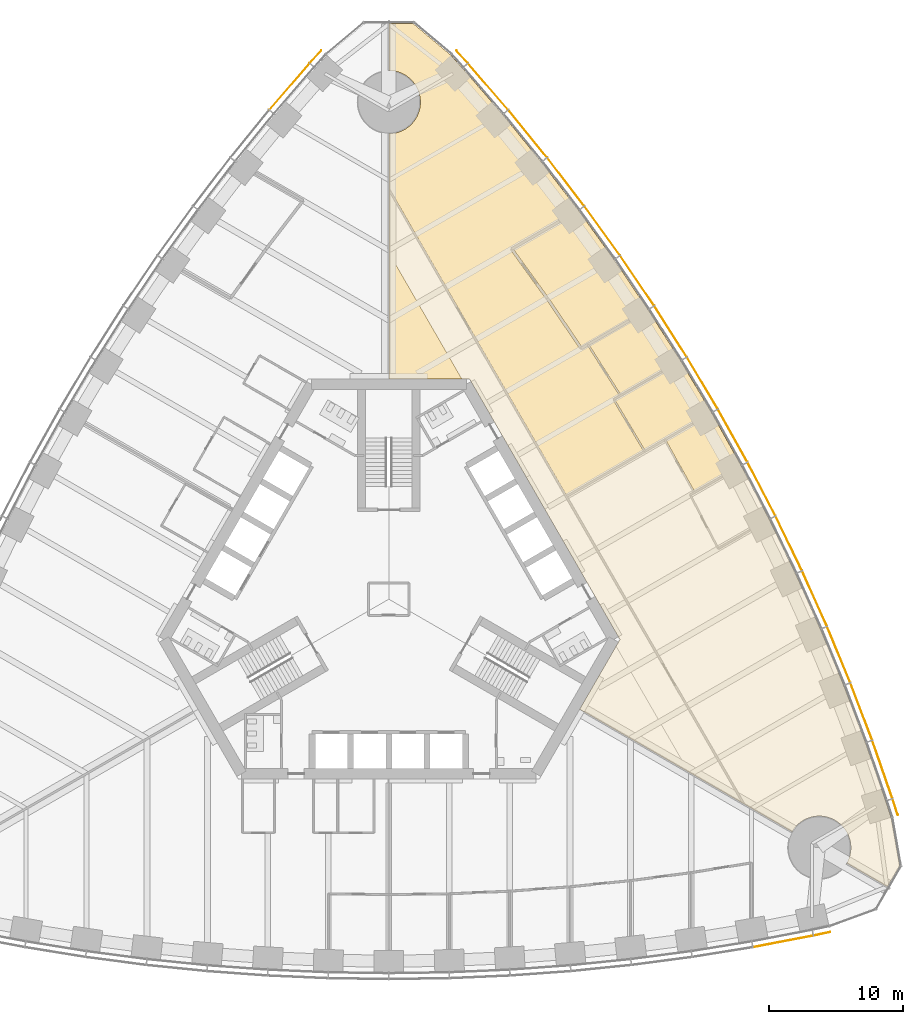
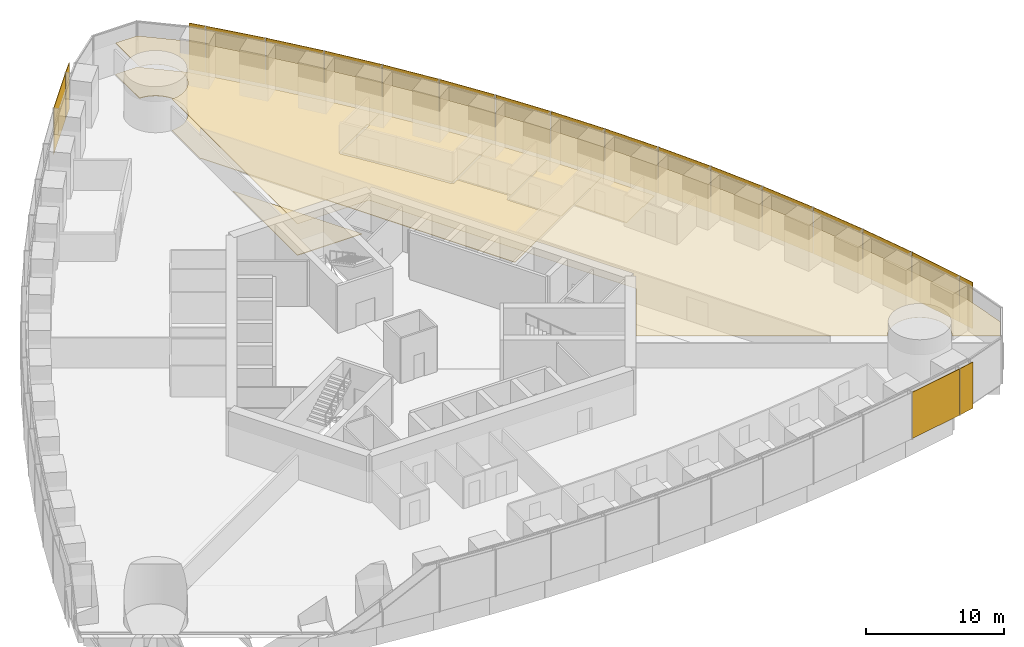
# One storey, part 16 of 18: 20 shading devices, 7 coverings.
"""IFC4 building model written with IfcOpenShell, lengths in metres."""

from ifc_helpers import new_model, si_unit, direction, frame, origin, origin_2d, place, context, subcontext, project, spatial, polyline, rectangle, outline, extrude, material, layer, layer_set, type_object, element, save


model = new_model("IFC4")

# Units and contexts
model_context = context("Model", 3, precision=1e-05, world=origin(), true_north=direction((0.0, 1.0)))
body_context = subcontext(model_context, "Body", "Model", "MODEL_VIEW")
ifc_project = project(units=[si_unit("LENGTHUNIT", "METRE"), si_unit("AREAUNIT", "SQUARE_METRE"), si_unit("VOLUMEUNIT", "CUBIC_METRE"), si_unit("PLANEANGLEUNIT", "RADIAN"), si_unit("MASSUNIT", "GRAM", prefix="KILO")], contexts=[model_context])

# Site, building, storey
site_placement = place(None, origin())
site = spatial("IfcSite", under=ifc_project, at=site_placement, CompositionType="ELEMENT")
building_placement = place(site_placement, origin())
building = spatial("IfcBuilding", under=site, at=building_placement, Name="Trefoil Bronze Tower", CompositionType="ELEMENT")
storey_placement = place(building_placement, frame((0.0, 0.0, 66.89990234375)))
storey = spatial("IfcBuildingStorey", under=building, at=storey_placement, Name="L15", CompositionType="ELEMENT", Elevation=66.89990234375)

# Shading devices
ifc_material_1 = material(Name="Perforated bronze sheet", Category="bronze")
ifc_layer_1 = layer(ifc_material_1, 0.0400390625)
ifc_layer_set_1 = layer_set([ifc_layer_1], Name="Bronze solar screen panel")
shading_device_type = type_object("IfcShadingDeviceType", Name="Bronze solar screen panel", PredefinedType="SHUTTER", material=ifc_layer_set_1)
shading_device_1_placement = place(storey_placement, frame((29.351806640625, -25.478515625, 0.050048828125), z_axis=(0.0, 0.0, 1.0), x_axis=(0.982049823817, 0.188621694249, 0.0)))
element("IfcShadingDevice", 1, at=shading_device_1_placement, inside=storey, type_object=shading_device_type, Name="Solar screen CW-A L15 F1 bay 15", PredefinedType="SHUTTER", context=body_context, shape_type="SweptSolid", body=[
    extrude(rectangle(XDim=4.55224609375, YDim=0.0400390625, at=origin_2d()), origin(), (0.0, 0.0, 1.0), 4.10009765625),
])
for number, where, z_axis, x_axis, name in (
    (2, (32.2431640625, -24.91064453125, 0.050048828125), (0.0, 0.0, 1.0), (0.978302717041, 0.207180582657, 0.0), "Solar screen CW-A L15 F1 bay 16"),
    (3, (37.69482421875, -15.468017578125, 0.050048828125), (0.0, 0.0, 1.0), (-0.309727710769, 0.950825296877, 0.0), "Solar screen CW-A L15 F2 bay 1"),
):
    element("IfcShadingDevice", number, at=place(storey_placement, frame(where, z_axis=z_axis, x_axis=x_axis)), inside=storey, type_object=shading_device_type, Name=name, PredefinedType="SHUTTER", context=body_context, shape_type="SweptSolid", body=[
        extrude(rectangle(XDim=1.260498046875, YDim=0.0400390625, at=origin_2d()), origin(), (0.0, 0.0, 1.0), 4.10009765625),
    ])
shading_device_2_placement = place(storey_placement, frame((36.740966796875, -12.68017578125, 0.050048828125), z_axis=(0.0, 0.0, 1.0), x_axis=(-0.327673732984, 0.944790942332, 0.0)))
element("IfcShadingDevice", 4, at=shading_device_2_placement, inside=storey, type_object=shading_device_type, Name="Solar screen CW-A L15 F2 bay 2", PredefinedType="SHUTTER", context=body_context, shape_type="SweptSolid", body=[
    extrude(rectangle(XDim=4.55224609375, YDim=0.0400390625, at=origin_2d()), origin(), (0.0, 0.0, 1.0), 4.10009765625),
])
shading_device_3_placement = place(storey_placement, frame((35.1748046875, -8.3701171875, 0.050048828125), z_axis=(0.0, 0.0, 1.0), x_axis=(-0.355370585687, 0.934725492767, 0.0)))
element("IfcShadingDevice", 5, at=shading_device_3_placement, inside=storey, type_object=shading_device_type, Name="Solar screen CW-A L15 F2 bay 3", PredefinedType="SHUTTER", context=body_context, shape_type="SweptSolid", body=[
    extrude(rectangle(XDim=4.5283203125, YDim=0.0400390625, at=origin_2d()), origin(), (0.0, 0.0, 1.0), 4.10009765625),
])
shading_device_4_placement = place(storey_placement, frame((33.49072265625, -4.128173828125, 0.050048828125), z_axis=(0.0, 0.0, 1.0), x_axis=(-0.382629580712, 0.923901836758, 0.0)))
element("IfcShadingDevice", 6, at=shading_device_4_placement, inside=storey, type_object=shading_device_type, Name="Solar screen CW-A L15 F2 bay 4", PredefinedType="SHUTTER", context=body_context, shape_type="SweptSolid", body=[
    extrude(rectangle(XDim=4.5087890625, YDim=0.0400390625, at=origin_2d()), origin(), (0.0, 0.0, 1.0), 4.10009765625),
])
shading_device_5_placement = place(storey_placement, frame((31.68994140625, 0.04638671875, 0.050048828125), z_axis=(0.0, 0.0, 1.0), x_axis=(-0.40945635808, 0.912329705111, 0.0)))
element("IfcShadingDevice", 7, at=shading_device_5_placement, inside=storey, type_object=shading_device_type, Name="Solar screen CW-A L15 F2 bay 5", PredefinedType="SHUTTER", context=body_context, shape_type="SweptSolid", body=[
    extrude(rectangle(XDim=4.493408203125, YDim=0.0400390625, at=origin_2d()), origin(), (0.0, 0.0, 1.0), 4.10009765625),
])
shading_device_6_placement = place(storey_placement, frame((29.77392578125, 4.154541015625, 0.050048828125), z_axis=(0.0, 0.0, 1.0), x_axis=(-0.4358553457, 0.900016731858, 0.0)))
element("IfcShadingDevice", 8, at=shading_device_6_placement, inside=storey, type_object=shading_device_type, Name="Solar screen CW-A L15 F2 bay 6", PredefinedType="SHUTTER", context=body_context, shape_type="SweptSolid", body=[
    extrude(rectangle(XDim=4.48193359375, YDim=0.0400390625, at=origin_2d()), origin(), (0.0, 0.0, 1.0), 4.10009765625),
])
shading_device_7_placement = place(storey_placement, frame((27.74365234375, 8.1962890625, 0.050048828125), z_axis=(0.0, 0.0, 1.0), x_axis=(-0.46182981834, 0.886968555752, 0.0)))
element("IfcShadingDevice", 9, at=shading_device_7_placement, inside=storey, type_object=shading_device_type, Name="Solar screen CW-A L15 F2 bay 7", PredefinedType="SHUTTER", context=body_context, shape_type="SweptSolid", body=[
    extrude(rectangle(XDim=4.474365234375, YDim=0.0400390625, at=origin_2d()), origin(), (0.0, 0.0, 1.0), 4.10009765625),
])
for number, where, z_axis, x_axis, name in (
    (10, (25.599365234375, 12.172607421875, 0.050048828125), (0.0, 0.0, 1.0), (-0.487381940453, 0.873188893722, 0.0), "Solar screen CW-A L15 F2 bay 8"),
    (11, (23.341552734375, 16.083251953125, 0.050048828125), (0.0, 0.0, 1.0), (-0.51251279404, 0.858679588639, 0.0), "Solar screen CW-A L15 F2 bay 9"),
):
    element("IfcShadingDevice", number, at=place(storey_placement, frame(where, z_axis=z_axis, x_axis=x_axis)), inside=storey, type_object=shading_device_type, Name=name, PredefinedType="SHUTTER", context=body_context, shape_type="SweptSolid", body=[
        extrude(rectangle(XDim=4.470458984375, YDim=0.0400390625, at=origin_2d()), origin(), (0.0, 0.0, 1.0), 4.10009765625),
    ])
shading_device_8_placement = place(storey_placement, frame((20.97021484375, 19.928466796875, 0.050048828125), z_axis=(0.0, 0.0, 1.0), x_axis=(-0.537222392469, 0.843440632783, 0.0)))
element("IfcShadingDevice", 12, at=shading_device_8_placement, inside=storey, type_object=shading_device_type, Name="Solar screen CW-A L15 F2 bay 10", PredefinedType="SHUTTER", context=body_context, shape_type="SweptSolid", body=[
    extrude(rectangle(XDim=4.474365234375, YDim=0.0400390625, at=origin_2d()), origin(), (0.0, 0.0, 1.0), 4.10009765625),
])
shading_device_9_placement = place(storey_placement, frame((18.48486328125, 23.707763671875, 0.050048828125), z_axis=(0.0, 0.0, 1.0), x_axis=(-0.56150968077, 0.827470167681, 0.0)))
element("IfcShadingDevice", 13, at=shading_device_9_placement, inside=storey, type_object=shading_device_type, Name="Solar screen CW-A L15 F2 bay 11", PredefinedType="SHUTTER", context=body_context, shape_type="SweptSolid", body=[
    extrude(rectangle(XDim=4.48193359375, YDim=0.0400390625, at=origin_2d()), origin(), (0.0, 0.0, 1.0), 4.10009765625),
])
shading_device_10_placement = place(storey_placement, frame((15.88525390625, 27.421142578125, 0.050048828125), z_axis=(0.0, 0.0, 1.0), x_axis=(-0.585372522213, 0.810764460394, 0.0)))
element("IfcShadingDevice", 14, at=shading_device_10_placement, inside=storey, type_object=shading_device_type, Name="Solar screen CW-A L15 F2 bay 12", PredefinedType="SHUTTER", context=body_context, shape_type="SweptSolid", body=[
    extrude(rectangle(XDim=4.493408203125, YDim=0.0400390625, at=origin_2d()), origin(), (0.0, 0.0, 1.0), 4.10009765625),
])
shading_device_11_placement = place(storey_placement, frame((13.170166015625, 31.06787109375, 0.050048828125), z_axis=(0.0, 0.0, 1.0), x_axis=(-0.608807670879, 0.793317855515, 0.0)))
element("IfcShadingDevice", 15, at=shading_device_11_placement, inside=storey, type_object=shading_device_type, Name="Solar screen CW-A L15 F2 bay 13", PredefinedType="SHUTTER", context=body_context, shape_type="SweptSolid", body=[
    extrude(rectangle(XDim=4.5087890625, YDim=0.0400390625, at=origin_2d()), origin(), (0.0, 0.0, 1.0), 4.10009765625),
])
shading_device_12_placement = place(storey_placement, frame((10.338623046875, 34.6474609375, 0.050048828125), z_axis=(0.0, 0.0, 1.0), x_axis=(-0.631810729457, 0.775122701346, 0.0)))
element("IfcShadingDevice", 16, at=shading_device_12_placement, inside=storey, type_object=shading_device_type, Name="Solar screen CW-A L15 F2 bay 14", PredefinedType="SHUTTER", context=body_context, shape_type="SweptSolid", body=[
    extrude(rectangle(XDim=4.5283203125, YDim=0.0400390625, at=origin_2d()), origin(), (0.0, 0.0, 1.0), 4.10009765625),
])
shading_device_13_placement = place(storey_placement, frame((7.38916015625, 38.15869140625, 0.050048828125), z_axis=(0.0, 0.0, 1.0), x_axis=(-0.654376090833, 0.756169248083, 0.0)))
element("IfcShadingDevice", 17, at=shading_device_13_placement, inside=storey, type_object=shading_device_type, Name="Solar screen CW-A L15 F2 bay 15", PredefinedType="SHUTTER", context=body_context, shape_type="SweptSolid", body=[
    extrude(rectangle(XDim=4.55224609375, YDim=0.0400390625, at=origin_2d()), origin(), (0.0, 0.0, 1.0), 4.10009765625),
])
for number, where, z_axis, x_axis, name in (
    (18, (5.45166015625, 40.378662109375, 0.050048828125), (0.0, 0.0, 1.0), (-0.668575006272, 0.743644714221, 0.0), "Solar screen CW-A L15 F2 bay 16"),
    (19, (-5.45166015625, 40.378662109375, 0.050048828125), (0.0, 0.0, 1.0), (-0.668575006272, -0.743644714221, 0.0), "Solar screen CW-A L15 F3 bay 1"),
):
    element("IfcShadingDevice", number, at=place(storey_placement, frame(where, z_axis=z_axis, x_axis=x_axis)), inside=storey, type_object=shading_device_type, Name=name, PredefinedType="SHUTTER", context=body_context, shape_type="SweptSolid", body=[
        extrude(rectangle(XDim=1.260498046875, YDim=0.0400390625, at=origin_2d()), origin(), (0.0, 0.0, 1.0), 4.10009765625),
    ])
shading_device_14_placement = place(storey_placement, frame((-7.38916015625, 38.15869140625, 0.050048828125), z_axis=(0.0, 0.0, 1.0), x_axis=(-0.654376090833, -0.756169248083, 0.0)))
element("IfcShadingDevice", 20, at=shading_device_14_placement, inside=storey, type_object=shading_device_type, Name="Solar screen CW-A L15 F3 bay 2", PredefinedType="SHUTTER", context=body_context, shape_type="SweptSolid", body=[
    extrude(rectangle(XDim=4.55224609375, YDim=0.0400390625, at=origin_2d()), origin(), (0.0, 0.0, 1.0), 4.10009765625),
])

# Coverings
ifc_material_2 = material(Name="Acoustic ceiling panels", Category="mineral fibre")
ifc_layer_2 = layer(ifc_material_2, 0.02001953125)
ifc_layer_set_2 = layer_set([ifc_layer_2], Name="Office ceiling 20")
covering_type_1 = type_object("IfcCoveringType", Name="Office ceiling 20", PredefinedType="CEILING", material=ifc_layer_set_2)
covering_1_placement = place(storey_placement, frame((0.0, 0.0, 2.900146484375)))
element("IfcCovering", 21, at=covering_1_placement, inside=storey, type_object=covering_type_1, Name="Ceiling L15 Open-plan office F2", PredefinedType="CEILING", context=body_context, shape_type="SweptSolid", body=[
    extrude(outline(polyline([(5.4814453125, 39.537841796875), (8.47998046875, 36.072998046875), (11.360107421875, 32.53955078125), (14.123291015625, 28.938720703125), (16.771240234375, 25.271484375), (19.3046875, 21.537841796875), (21.724609375, 17.73876953125), (24.031005859375, 13.87451171875), (26.224609375, 9.944580078125), (28.3046875, 5.949462890625), (30.271240234375, 1.888671875), (32.123291015625, -2.23828125), (33.860107421875, -6.431640625), (35.47998046875, -10.6923828125), (36.9814453125, -15.021728515625), (37.381103515625, -16.248779296875), (38.0146484375, -19.841552734375), (37.110595703125, -21.4072265625), (34.084716796875, -19.661865234375), (34.115478515625, -19.60791015625), (34.167236328125, -19.5048828125), (34.214111328125, -19.3994140625), (34.255615234375, -19.291748046875), (34.291748046875, -19.18212890625), (34.322509765625, -19.071044921875), (34.347900390625, -18.95849609375), (34.367431640625, -18.8447265625), (34.381591796875, -18.730224609375), (34.39013671875, -18.615234375), (34.392822265625, -18.5), (34.39013671875, -18.384765625), (34.381591796875, -18.269775390625), (34.367431640625, -18.1552734375), (34.347900390625, -18.04150390625), (34.322509765625, -17.928955078125), (34.291748046875, -17.81787109375), (34.255615234375, -17.708251953125), (34.214111328125, -17.6005859375), (34.167236328125, -17.4951171875), (34.115478515625, -17.39208984375), (34.05859375, -17.2919921875), (33.996826171875, -17.1943359375), (33.930419921875, -17.10009765625), (33.859619140625, -17.00927734375), (33.7841796875, -16.921875), (33.70458984375, -16.83837890625), (33.62109375, -16.7587890625), (33.53369140625, -16.683349609375), (33.44287109375, -16.612548828125), (33.348388671875, -16.5458984375), (33.251220703125, -16.484375), (33.150634765625, -16.427490234375), (33.047607421875, -16.37548828125), (32.942138671875, -16.328857421875), (32.834716796875, -16.287353515625), (32.72509765625, -16.251220703125), (32.614013671875, -16.220458984375), (32.50146484375, -16.1953125), (32.3876953125, -16.17529296875), (32.273193359375, -16.161376953125), (32.158203125, -16.15283203125), (32.04296875, -16.14990234375), (31.927490234375, -16.15283203125), (31.8125, -16.161376953125), (31.697998046875, -16.17529296875), (31.58447265625, -16.1953125), (31.471923828125, -16.220458984375), (31.36083984375, -16.251220703125), (31.251220703125, -16.287353515625), (31.1435546875, -16.328857421875), (31.0380859375, -16.37548828125), (30.935302734375, -16.427490234375), (30.834716796875, -16.484375), (30.7373046875, -16.5458984375), (30.64306640625, -16.612548828125), (30.552001953125, -16.683349609375), (30.46484375, -16.7587890625), (30.381103515625, -16.83837890625), (30.3017578125, -16.921875), (30.226318359375, -17.00927734375), (30.155517578125, -17.10009765625), (30.089111328125, -17.1943359375), (30.02734375, -17.2919921875), (30.0146484375, -17.31396484375), (14.205810546875, -8.194580078125), (17.205078125, -3.0), (6.00439453125, 16.39990234375), (0.006103515625, 16.39990234375), (0.012939453125, 34.650390625), (0.115234375, 34.65283203125), (0.230224609375, 34.661376953125), (0.3447265625, 34.67529296875), (0.45849609375, 34.6953125), (0.571044921875, 34.720458984375), (0.68212890625, 34.751220703125), (0.791748046875, 34.787353515625), (0.8994140625, 34.828857421875), (1.0048828125, 34.87548828125), (1.10791015625, 34.927490234375), (1.2080078125, 34.984375), (1.3056640625, 35.0458984375), (1.39990234375, 35.112548828125), (1.49072265625, 35.183349609375), (1.578125, 35.2587890625), (1.66162109375, 35.33837890625), (1.7412109375, 35.421875), (1.816650390625, 35.50927734375), (1.887451171875, 35.60009765625), (1.9541015625, 35.6943359375), (2.015625, 35.7919921875), (2.072509765625, 35.89208984375), (2.12451171875, 35.9951171875), (2.171142578125, 36.1005859375), (2.212646484375, 36.208251953125), (2.248779296875, 36.31787109375), (2.279541015625, 36.428955078125), (2.3046875, 36.54150390625), (2.32470703125, 36.6552734375), (2.338623046875, 36.769775390625), (2.34716796875, 36.884765625), (2.35009765625, 37.0), (2.34716796875, 37.115234375), (2.338623046875, 37.230224609375), (2.32470703125, 37.3447265625), (2.3046875, 37.45849609375), (2.279541015625, 37.571044921875), (2.248779296875, 37.68212890625), (2.212646484375, 37.791748046875), (2.171142578125, 37.8994140625), (2.12451171875, 38.0048828125), (2.072509765625, 38.10791015625), (2.015625, 38.2080078125), (1.9541015625, 38.3056640625), (1.887451171875, 38.39990234375), (1.816650390625, 38.49072265625), (1.7412109375, 38.578125), (1.66162109375, 38.66162109375), (1.578125, 38.7412109375), (1.49072265625, 38.816650390625), (1.39990234375, 38.887451171875), (1.3056640625, 38.9541015625), (1.2080078125, 39.015625), (1.10791015625, 39.072509765625), (1.0048828125, 39.12451171875), (0.8994140625, 39.171142578125), (0.791748046875, 39.212646484375), (0.68212890625, 39.248779296875), (0.571044921875, 39.279541015625), (0.45849609375, 39.3046875), (0.3447265625, 39.32470703125), (0.230224609375, 39.338623046875), (0.115234375, 39.34716796875), (0.014892578125, 39.349609375), (0.01611328125, 42.84228515625), (1.82421875, 42.84228515625), (4.618896484375, 40.497314453125), (5.4814453125, 39.537841796875)])), origin(), (0.0, 0.0, 1.0), 0.02001953125),
])
ifc_material_3 = material(Name="Raised access floor panels", Category="steel")
ifc_layer_3 = layer(ifc_material_3, 0.050048828125)
ifc_layer_set_3 = layer_set([ifc_layer_3], Name="Raised access floor 150")
covering_type_2 = type_object("IfcCoveringType", Name="Raised access floor 150", PredefinedType="FLOORING", material=ifc_layer_set_3)
covering_2_placement = place(storey_placement, frame((0.0, 0.0, 0.10009765625)))
element("IfcCovering", 22, at=covering_2_placement, inside=storey, type_object=covering_type_2, Name="Raised floor L15 Boardroom F2", PredefinedType="FLOORING", context=body_context, shape_type="SweptSolid", body=[
    extrude(outline(polyline([(16.771240234375, 25.271484375), (19.3046875, 21.537841796875), (17.890869140625, 20.721435546875), (17.8408203125, 20.80810546875), (14.355712890625, 18.7958984375), (11.87451171875, 22.452392578125), (11.79150390625, 22.396484375), (11.872802734375, 22.454833984375), (9.289794921875, 26.032470703125), (12.752197265625, 28.031494140625), (12.7021484375, 28.1181640625), (14.123291015625, 28.938720703125), (16.771240234375, 25.271484375)])), origin(), (0.0, 0.0, 1.0), 0.050048828125),
])
covering_3_placement = place(storey_placement, frame((0.0, 0.0, 0.10009765625)))
element("IfcCovering", 23, at=covering_3_placement, inside=storey, type_object=covering_type_2, Name="Raised floor L15 Project room F2", PredefinedType="FLOORING", context=body_context, shape_type="SweptSolid", body=[
    extrude(outline(polyline([(21.724609375, 17.73876953125), (20.312255859375, 16.923583984375), (20.2822265625, 16.975341796875), (17.2626953125, 15.23193359375), (14.9287109375, 18.89599609375), (17.94091796875, 20.635009765625), (17.890869140625, 20.721435546875), (19.3046875, 21.537841796875), (21.724609375, 17.73876953125)])), origin(), (0.0, 0.0, 1.0), 0.050048828125),
])
covering_4_placement = place(storey_placement, frame((0.0, 0.0, 0.10009765625)))
element("IfcCovering", 24, at=covering_4_placement, inside=storey, type_object=covering_type_2, Name="Raised floor L15 Meeting room F2", PredefinedType="FLOORING", context=body_context, shape_type="SweptSolid", body=[
    extrude(outline(polyline([(21.724609375, 17.73876953125), (24.031005859375, 13.87451171875), (22.619384765625, 13.059326171875), (22.58203125, 13.124267578125), (19.06494140625, 11.09375), (16.82763671875, 14.84228515625), (20.34228515625, 16.87158203125), (20.312255859375, 16.923583984375), (21.724609375, 17.73876953125)])), origin(), (0.0, 0.0, 1.0), 0.050048828125),
])
covering_5_placement = place(storey_placement, frame((0.0, 0.0, 0.10009765625)))
element("IfcCovering", 25, at=covering_5_placement, inside=storey, type_object=covering_type_2, Name="Raised floor L15 Focus room F2", PredefinedType="FLOORING", context=body_context, shape_type="SweptSolid", body=[
    extrude(outline(polyline([(24.031005859375, 13.87451171875), (26.224609375, 9.944580078125), (24.812255859375, 9.12939453125), (24.7822265625, 9.18115234375), (22.761474609375, 8.014404296875), (20.6337890625, 11.826416015625), (22.656982421875, 12.994384765625), (22.619384765625, 13.059326171875), (24.031005859375, 13.87451171875)])), origin(), (0.0, 0.0, 1.0), 0.050048828125),
])
covering_6_placement = place(storey_placement, frame((0.0, 0.0, 0.10009765625)))
element("IfcCovering", 26, at=covering_6_placement, inside=storey, type_object=covering_type_2, Name="Raised floor L15 Open-plan office F2", PredefinedType="FLOORING", context=body_context, shape_type="SweptSolid", body=[
    extrude(outline(polyline([(4.618896484375, 40.497314453125), (5.4814453125, 39.537841796875), (8.47998046875, 36.072998046875), (11.360107421875, 32.53955078125), (14.123291015625, 28.938720703125), (12.7021484375, 28.1181640625), (12.652099609375, 28.204833984375), (9.09375, 26.150390625), (9.143798828125, 26.063720703125), (9.062744140625, 26.005126953125), (11.709716796875, 22.339111328125), (14.242431640625, 18.606689453125), (14.3251953125, 18.662841796875), (14.375, 18.576416015625), (14.82470703125, 18.8359375), (17.15869140625, 15.171875), (16.71484375, 14.915771484375), (16.744873046875, 14.86376953125), (16.693359375, 14.8330078125), (18.9609375, 11.03369140625), (13.22998046875, 7.72509765625), (0.068359375, 30.521484375), (0.011474609375, 30.488525390625), (0.012939453125, 34.650390625), (0.115234375, 34.65283203125), (0.230224609375, 34.661376953125), (0.3447265625, 34.67529296875), (0.45849609375, 34.6953125), (0.571044921875, 34.720458984375), (0.68212890625, 34.751220703125), (0.791748046875, 34.787353515625), (0.8994140625, 34.828857421875), (1.0048828125, 34.87548828125), (1.10791015625, 34.927490234375), (1.2080078125, 34.984375), (1.3056640625, 35.0458984375), (1.39990234375, 35.112548828125), (1.49072265625, 35.183349609375), (1.578125, 35.2587890625), (1.66162109375, 35.33837890625), (1.7412109375, 35.421875), (1.816650390625, 35.50927734375), (1.887451171875, 35.60009765625), (1.9541015625, 35.6943359375), (2.015625, 35.7919921875), (2.072509765625, 35.89208984375), (2.12451171875, 35.9951171875), (2.171142578125, 36.1005859375), (2.212646484375, 36.208251953125), (2.248779296875, 36.31787109375), (2.279541015625, 36.428955078125), (2.3046875, 36.54150390625), (2.32470703125, 36.6552734375), (2.338623046875, 36.769775390625), (2.34716796875, 36.884765625), (2.35009765625, 37.0), (2.34716796875, 37.115234375), (2.338623046875, 37.230224609375), (2.32470703125, 37.3447265625), (2.3046875, 37.45849609375), (2.279541015625, 37.571044921875), (2.248779296875, 37.68212890625), (2.212646484375, 37.791748046875), (2.171142578125, 37.8994140625), (2.12451171875, 38.0048828125), (2.072509765625, 38.10791015625), (2.015625, 38.2080078125), (1.9541015625, 38.3056640625), (1.887451171875, 38.39990234375), (1.816650390625, 38.49072265625), (1.7412109375, 38.578125), (1.66162109375, 38.66162109375), (1.578125, 38.7412109375), (1.49072265625, 38.816650390625), (1.39990234375, 38.887451171875), (1.3056640625, 38.9541015625), (1.2080078125, 39.015625), (1.10791015625, 39.072509765625), (1.0048828125, 39.12451171875), (0.8994140625, 39.171142578125), (0.791748046875, 39.212646484375), (0.68212890625, 39.248779296875), (0.571044921875, 39.279541015625), (0.45849609375, 39.3046875), (0.3447265625, 39.32470703125), (0.230224609375, 39.338623046875), (0.115234375, 39.34716796875), (0.014892578125, 39.349609375), (0.01611328125, 42.84228515625), (1.82421875, 42.84228515625), (4.618896484375, 40.497314453125)])), origin(), (0.0, 0.0, 1.0), 0.050048828125),
])
covering_7_placement = place(storey_placement, frame((0.0, 0.0, 0.10009765625)))
element("IfcCovering", 27, at=covering_7_placement, inside=storey, type_object=covering_type_2, Name="Raised floor L15 Open-plan office F2", PredefinedType="FLOORING", context=body_context, shape_type="SweptSolid", body=[
    extrude(outline(polyline([(0.006103515625, 16.39990234375), (0.009765625, 25.783203125), (5.427001953125, 16.39990234375), (0.006103515625, 16.39990234375)])), origin(), (0.0, 0.0, 1.0), 0.050048828125),
])

save(model, "model.ifc")
